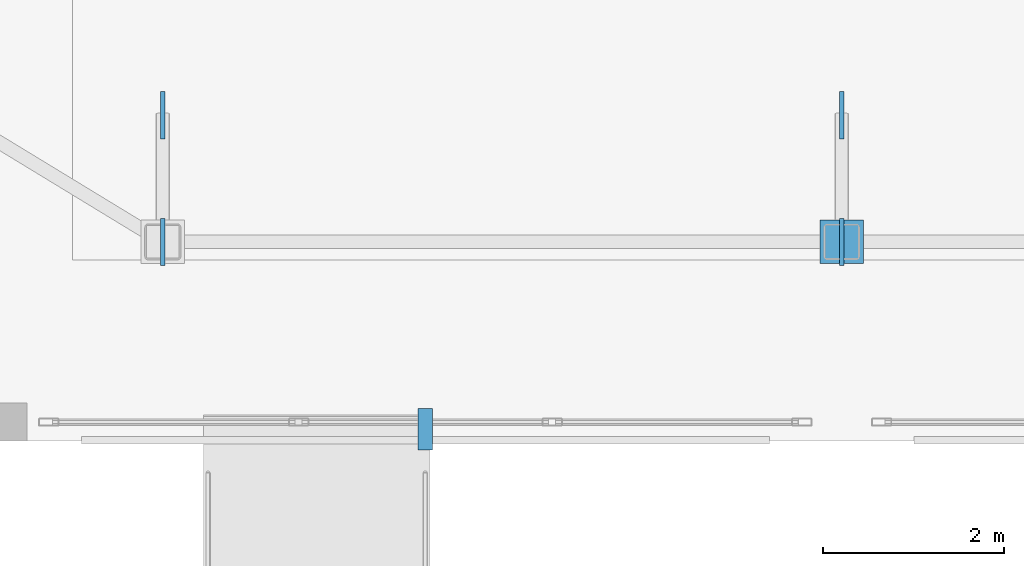
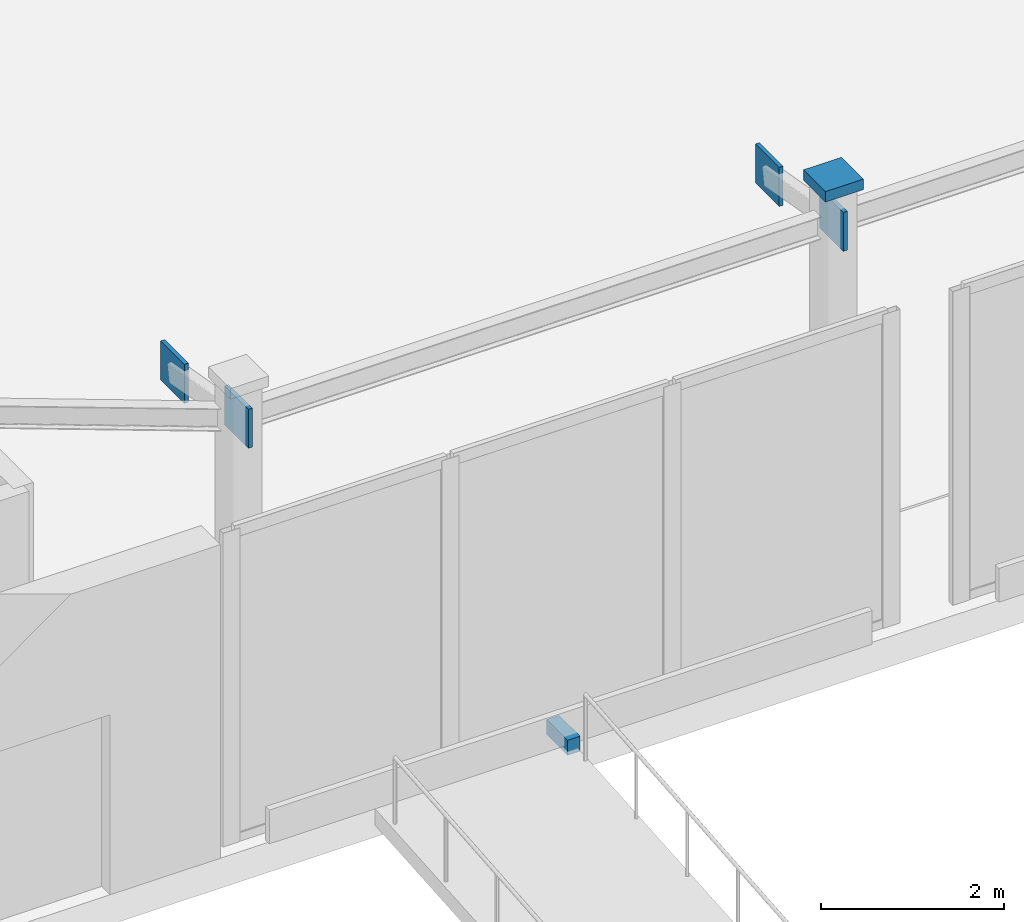
# One storey, part 29 of 42: 6 discrete accessories.
"""IFC4 building model written with IfcOpenShell, lengths in metres."""

from ifc_helpers import new_model, si_unit, direction, frame, origin, origin_2d, place, context, subcontext, project, spatial, rectangle, extrude, material, type_object, element, save


model = new_model("IFC4")

# Units and contexts
model_context = context("Model", 3, precision=1e-05, world=origin(), true_north=direction((0.0, 1.0)))
body_context = subcontext(model_context, "Body", "Model", "MODEL_VIEW")
ifc_project = project(units=[si_unit("LENGTHUNIT", "METRE"), si_unit("AREAUNIT", "SQUARE_METRE"), si_unit("VOLUMEUNIT", "CUBIC_METRE"), si_unit("PLANEANGLEUNIT", "RADIAN"), si_unit("MASSUNIT", "GRAM", prefix="KILO")], contexts=[model_context])

# Site, building, storey
site_placement = place(None, origin())
site = spatial("IfcSite", under=ifc_project, at=site_placement, CompositionType="ELEMENT")
building_placement = place(site_placement, origin())
building = spatial("IfcBuilding", under=site, at=building_placement, Name="Narakoshi Arena Tower", CompositionType="ELEMENT")
storey_placement = place(building_placement, origin())
storey = spatial("IfcBuildingStorey", under=building, at=storey_placement, Name="L00", CompositionType="ELEMENT", Elevation=0.0)

# Discrete accessories
ifc_material_1 = material(Name="Structural steel S355J2", Category="steel")
discrete_accessory_type_1 = type_object("IfcDiscreteAccessoryType", Name="ACC-BRK-SCR", PredefinedType="BRACKET", material=ifc_material_1)
discrete_accessory_1_placement = place(storey_placement, frame((56.39990234375, 0.1298828125, -0.080078125), z_axis=(0.0, 0.0, 1.0), x_axis=(1.0, 0.0, 0.0)))
element("IfcDiscreteAccessory", 1, at=discrete_accessory_1_placement, inside=storey, type_object=discrete_accessory_type_1, Name="L00 Solar Screen Support Bracket SHD-L00-SUN-CS1", PredefinedType="BRACKET", context=body_context, shape_type="SweptSolid", body=[
    extrude(rectangle(XDim=0.159912109375, YDim=0.4599609375, at=origin_2d()), origin(), (0.0, 0.0, 1.0), 0.199951171875),
])
ifc_material_2 = material(Name="Structural steel S460ML", Category="steel")
discrete_accessory_type_2 = type_object("IfcDiscreteAccessoryType", Name="ACC-GUS-PLT", PredefinedType="BRACKET", material=ifc_material_2)
discrete_accessory_2_placement = place(storey_placement, frame((61.0, 2.199951171875, 4.490234375), z_axis=(0.0, 0.0, 1.0), x_axis=(1.0, 0.0, 0.0)))
element("IfcDiscreteAccessory", 2, at=discrete_accessory_2_placement, inside=storey, type_object=discrete_accessory_type_2, Name="L00 Canopy Column Top Cap Plate CAN02", PredefinedType="BRACKET", context=body_context, shape_type="SweptSolid", body=[
    extrude(rectangle(XDim=0.47998046875, YDim=0.47998046875, at=origin_2d()), origin(), (0.0, 0.0, 1.0), 0.139892578125),
])
for number, where, z_axis, x_axis, name in (
    (3, (53.5, 2.199951171875, 3.77001953125), (0.0, 0.0, 1.0), (0.0, 1.0, 0.0), "L00 Brace Node Gusset Plate 0007"),
    (4, (53.5, 3.60009765625, 3.52001953125), (0.0, 0.0, 1.0), (0.0, 1.0, 0.0), "L00 Brace Node Gusset Plate 0008"),
    (5, (61.0, 2.199951171875, 3.77001953125), (0.0, 0.0, 1.0), (0.0, 1.0, 0.0), "L00 Brace Node Gusset Plate 0009"),
    (6, (61.0, 3.60009765625, 3.52001953125), (0.0, 0.0, 1.0), (0.0, 1.0, 0.0), "L00 Brace Node Gusset Plate 0010"),
):
    element("IfcDiscreteAccessory", number, at=place(storey_placement, frame(where, z_axis=z_axis, x_axis=x_axis)), inside=storey, type_object=discrete_accessory_type_2, Name=name, PredefinedType="BRACKET", context=body_context, shape_type="SweptSolid", body=[
        extrude(rectangle(XDim=0.52001953125, YDim=0.050048828125, at=origin_2d()), origin(), (0.0, 0.0, 1.0), 0.52001953125),
    ])

save(model, "model.ifc")
